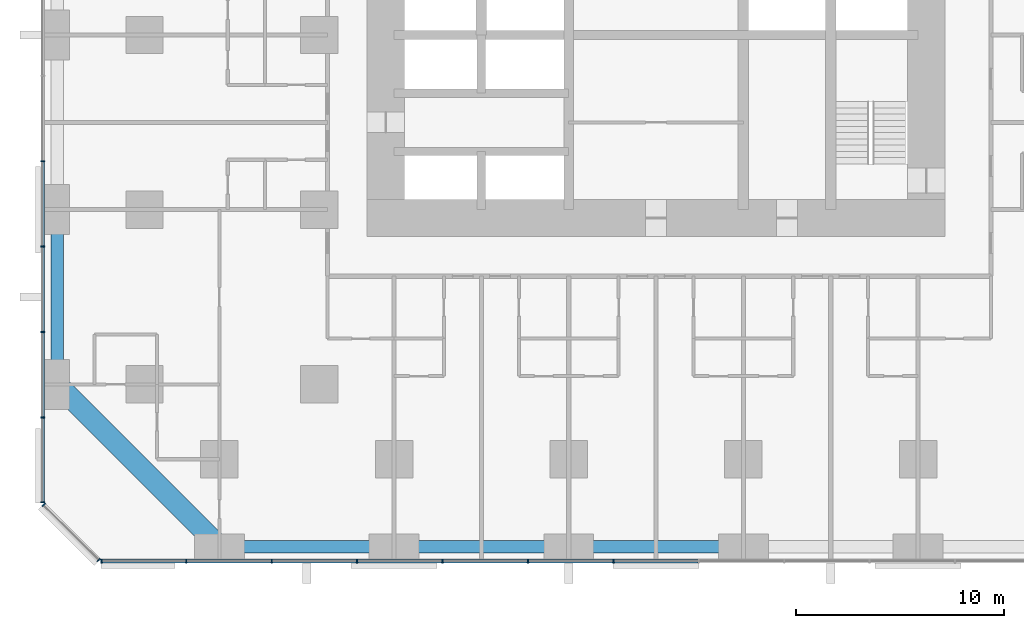
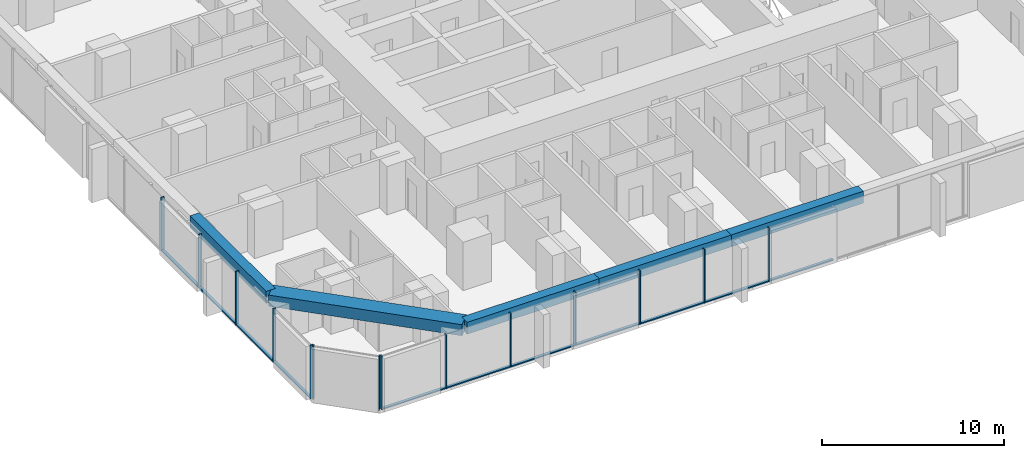
# One storey, part 2 of 18: 25 members, 5 beams, 3 elements without a shape of their own.
"""IFC4 building model written with IfcOpenShell, lengths in metres."""

from ifc_helpers import new_model, si_unit, direction, frame, origin, origin_2d, place, context, subcontext, project, spatial, rectangle, extrude, material, material_profile, profile_set, type_object, element, aggregate, save


model = new_model("IFC4")

# Units and contexts
model_context = context("Model", 3, precision=1e-05, world=origin(), true_north=direction((0.0, 1.0)))
body_context = subcontext(model_context, "Body", "Model", "MODEL_VIEW")
ifc_project = project(units=[si_unit("LENGTHUNIT", "METRE"), si_unit("AREAUNIT", "SQUARE_METRE"), si_unit("VOLUMEUNIT", "CUBIC_METRE"), si_unit("PLANEANGLEUNIT", "RADIAN"), si_unit("MASSUNIT", "GRAM", prefix="KILO")], contexts=[model_context])

# Site, building, storey
site_placement = place(None, origin())
site = spatial("IfcSite", under=ifc_project, at=site_placement, CompositionType="ELEMENT")
building_placement = place(site_placement, origin())
building = spatial("IfcBuilding", under=site, at=building_placement, Name="Dunama Terrace Hotel", CompositionType="ELEMENT")
storey_placement = place(building_placement, frame((0.0, 0.0, 30.60009765625)))
storey = spatial("IfcBuildingStorey", under=building, at=storey_placement, Name="L06", CompositionType="ELEMENT", Elevation=30.60009765625)

# Curtain wall, members
ifc_material_1 = material(Name="Aluminium curtain wall system", Category="aluminium")
curtain_wall_type = type_object("IfcCurtainWallType", Name="Unitised fritted glass wall CW-A", PredefinedType="NOTDEFINED", material=ifc_material_1)
curtain_wall_1_placement = place(storey_placement, origin())
curtain_wall_1 = element("IfcCurtainWall", 1, at=curtain_wall_1_placement, inside=storey, type_object=curtain_wall_type, Name="Unitised fritted glass wall CW-A L06", PredefinedType="NOTDEFINED")
ifc_material_2 = material(Name="Aluminium mullion", Category="aluminium")
ifc_material_profile_1 = material_profile(ifc_material_2, rectangle(XDim=0.06494140625, YDim=0.199951171875, at=origin_2d()), Name="CWA MULLION 65X200")
ifc_profile_set_1 = profile_set([ifc_material_profile_1], Name="Aluminium mullion")
member_type_1 = type_object("IfcMemberType", Name="CWA mullion 65x200", PredefinedType="MULLION", material=ifc_profile_set_1)
member_1_placement = place(storey_placement, frame((2.73291015625, -0.10009765625, 0.0), z_axis=(0.0, 0.0, 1.0), x_axis=(1.0, 0.0, 0.0)))
member_1 = element("IfcMember", 2, at=member_1_placement, type_object=member_type_1, Name="CWA mullion", PredefinedType="MULLION", context=body_context, shape_type="SweptSolid", body=[
    extrude(rectangle(XDim=0.06494140625, YDim=0.199951171875, at=origin_2d()), origin(), (0.0, 0.0, 1.0), 3.599853515625),
])
member_2_placement = place(storey_placement, frame((6.80810546875, -0.10009765625, 0.0), z_axis=(0.0, 0.0, 1.0), x_axis=(1.0, 0.0, 0.0)))
member_2 = element("IfcMember", 3, at=member_2_placement, type_object=member_type_1, Name="CWA mullion", PredefinedType="MULLION", context=body_context, shape_type="SweptSolid", body=[
    extrude(rectangle(XDim=0.06494140625, YDim=0.199951171875, at=origin_2d()), origin(), (0.0, 0.0, 1.0), 3.599853515625),
])
member_3_placement = place(storey_placement, frame((10.9150390625, -0.10009765625, 0.0), z_axis=(0.0, 0.0, 1.0), x_axis=(1.0, 0.0, 0.0)))
member_3 = element("IfcMember", 4, at=member_3_placement, type_object=member_type_1, Name="CWA mullion", PredefinedType="MULLION", context=body_context, shape_type="SweptSolid", body=[
    extrude(rectangle(XDim=0.06494140625, YDim=0.199951171875, at=origin_2d()), origin(), (0.0, 0.0, 1.0), 3.599853515625),
])
member_4_placement = place(storey_placement, frame((15.02294921875, -0.10009765625, 0.0), z_axis=(0.0, 0.0, 1.0), x_axis=(1.0, 0.0, 0.0)))
member_4 = element("IfcMember", 5, at=member_4_placement, type_object=member_type_1, Name="CWA mullion", PredefinedType="MULLION", context=body_context, shape_type="SweptSolid", body=[
    extrude(rectangle(XDim=0.06494140625, YDim=0.199951171875, at=origin_2d()), origin(), (0.0, 0.0, 1.0), 3.599853515625),
])
member_5_placement = place(storey_placement, frame((19.131103515625, -0.10009765625, 0.0), z_axis=(0.0, 0.0, 1.0), x_axis=(1.0, 0.0, 0.0)))
member_5 = element("IfcMember", 6, at=member_5_placement, type_object=member_type_1, Name="CWA mullion", PredefinedType="MULLION", context=body_context, shape_type="SweptSolid", body=[
    extrude(rectangle(XDim=0.06494140625, YDim=0.199951171875, at=origin_2d()), origin(), (0.0, 0.0, 1.0), 3.599853515625),
])
member_6_placement = place(storey_placement, frame((23.238037109375, -0.10009765625, 0.0), z_axis=(0.0, 0.0, 1.0), x_axis=(1.0, 0.0, 0.0)))
member_6 = element("IfcMember", 7, at=member_6_placement, type_object=member_type_1, Name="CWA mullion", PredefinedType="MULLION", context=body_context, shape_type="SweptSolid", body=[
    extrude(rectangle(XDim=0.06494140625, YDim=0.199951171875, at=origin_2d()), origin(), (0.0, 0.0, 1.0), 3.599853515625),
])
member_7_placement = place(storey_placement, frame((27.345947265625, -0.10009765625, 0.0), z_axis=(0.0, 0.0, 1.0), x_axis=(1.0, 0.0, 0.0)))
member_7 = element("IfcMember", 8, at=member_7_placement, type_object=member_type_1, Name="CWA mullion", PredefinedType="MULLION", context=body_context, shape_type="SweptSolid", body=[
    extrude(rectangle(XDim=0.06494140625, YDim=0.199951171875, at=origin_2d()), origin(), (0.0, 0.0, 1.0), 3.599853515625),
])

curtain_wall_2_placement = place(storey_placement, origin())
curtain_wall_2 = element("IfcCurtainWall", 9, at=curtain_wall_2_placement, inside=storey, type_object=curtain_wall_type, Name="Unitised fritted glass wall CW-A L06", PredefinedType="NOTDEFINED")
member_8_placement = place(storey_placement, frame((-0.10009765625, 19.131103515625, 0.0), z_axis=(0.0, 0.0, 1.0), x_axis=(0.0, -1.0, 0.0)))
member_8 = element("IfcMember", 10, at=member_8_placement, type_object=member_type_1, Name="CWA mullion", PredefinedType="MULLION", context=body_context, shape_type="SweptSolid", body=[
    extrude(rectangle(XDim=0.06494140625, YDim=0.199951171875, at=origin_2d()), origin(), (0.0, 0.0, 1.0), 3.599853515625),
])
member_9_placement = place(storey_placement, frame((-0.10009765625, 15.02294921875, 0.0), z_axis=(0.0, 0.0, 1.0), x_axis=(0.0, -1.0, 0.0)))
member_9 = element("IfcMember", 11, at=member_9_placement, type_object=member_type_1, Name="CWA mullion", PredefinedType="MULLION", context=body_context, shape_type="SweptSolid", body=[
    extrude(rectangle(XDim=0.06494140625, YDim=0.199951171875, at=origin_2d()), origin(), (0.0, 0.0, 1.0), 3.599853515625),
])
member_10_placement = place(storey_placement, frame((-0.10009765625, 10.9150390625, 0.0), z_axis=(0.0, 0.0, 1.0), x_axis=(0.0, -1.0, 0.0)))
member_10 = element("IfcMember", 12, at=member_10_placement, type_object=member_type_1, Name="CWA mullion", PredefinedType="MULLION", context=body_context, shape_type="SweptSolid", body=[
    extrude(rectangle(XDim=0.06494140625, YDim=0.199951171875, at=origin_2d()), origin(), (0.0, 0.0, 1.0), 3.599853515625),
])
member_11_placement = place(storey_placement, frame((-0.10009765625, 6.80810546875, 0.0), z_axis=(0.0, 0.0, 1.0), x_axis=(0.0, -1.0, 0.0)))
member_11 = element("IfcMember", 13, at=member_11_placement, type_object=member_type_1, Name="CWA mullion", PredefinedType="MULLION", context=body_context, shape_type="SweptSolid", body=[
    extrude(rectangle(XDim=0.06494140625, YDim=0.199951171875, at=origin_2d()), origin(), (0.0, 0.0, 1.0), 3.599853515625),
])
member_12_placement = place(storey_placement, frame((-0.10009765625, 2.73291015625, 0.0), z_axis=(0.0, 0.0, 1.0), x_axis=(0.0, -1.0, 0.0)))
member_12 = element("IfcMember", 14, at=member_12_placement, type_object=member_type_1, Name="CWA mullion", PredefinedType="MULLION", context=body_context, shape_type="SweptSolid", body=[
    extrude(rectangle(XDim=0.06494140625, YDim=0.199951171875, at=origin_2d()), origin(), (0.0, 0.0, 1.0), 3.599853515625),
])

curtain_wall_3_placement = place(storey_placement, origin())
curtain_wall_3 = element("IfcCurtainWall", 15, at=curtain_wall_3_placement, inside=storey, type_object=curtain_wall_type, Name="Unitised fritted glass wall CW-A L06", PredefinedType="NOTDEFINED")
member_13_placement = place(storey_placement, frame((-0.048095703125, 2.60595703125, 0.0), z_axis=(0.0, 0.0, 1.0), x_axis=(0.707106781187, -0.707106781187, 0.0)))
member_13 = element("IfcMember", 16, at=member_13_placement, type_object=member_type_1, Name="CWA mullion", PredefinedType="MULLION", context=body_context, shape_type="SweptSolid", body=[
    extrude(rectangle(XDim=0.06494140625, YDim=0.199951171875, at=origin_2d()), origin(), (0.0, 0.0, 1.0), 3.599853515625),
])
member_14_placement = place(storey_placement, frame((2.60595703125, -0.048095703125, 0.0), z_axis=(0.0, 0.0, 1.0), x_axis=(0.707106781187, -0.707106781187, 0.0)))
member_14 = element("IfcMember", 17, at=member_14_placement, type_object=member_type_1, Name="CWA mullion", PredefinedType="MULLION", context=body_context, shape_type="SweptSolid", body=[
    extrude(rectangle(XDim=0.06494140625, YDim=0.199951171875, at=origin_2d()), origin(), (0.0, 0.0, 1.0), 3.599853515625),
])
aggregate(curtain_wall_3, [member_13, member_14])

# Member
ifc_material_3 = material(Name="Aluminium transom", Category="aluminium")
ifc_material_profile_2 = material_profile(ifc_material_3, rectangle(XDim=0.179931640625, YDim=0.074951171875, at=origin_2d()), Name="CWA TRANSOM 180X75")
ifc_profile_set_2 = profile_set([ifc_material_profile_2], Name="Aluminium transom")
member_type_2 = type_object("IfcMemberType", Name="CWA transom 180x75", PredefinedType="USERDEFINED", material=ifc_profile_set_2)
member_15_placement = place(storey_placement, frame((2.764892578125, -0.10009765625, 0.037353515625), z_axis=(1.0, 0.0, 0.0), x_axis=(0.0, 1.0, 0.0)))
member_15 = element("IfcMember", 18, at=member_15_placement, type_object=member_type_2, Name="CWA transom", ObjectType="TRANSOM", PredefinedType="USERDEFINED", context=body_context, shape_type="SweptSolid", body=[
    extrude(rectangle(XDim=0.179931640625, YDim=0.074951171875, at=origin_2d()), origin(), (0.0, 0.0, 1.0), 4.010009765625),
])

member_16_placement = place(storey_placement, frame((6.840087890625, -0.10009765625, 0.037353515625), z_axis=(1.0, 0.0, 0.0), x_axis=(0.0, 1.0, 0.0)))
member_16 = element("IfcMember", 19, at=member_16_placement, type_object=member_type_2, Name="CWA transom", ObjectType="TRANSOM", PredefinedType="USERDEFINED", context=body_context, shape_type="SweptSolid", body=[
    extrude(rectangle(XDim=0.179931640625, YDim=0.074951171875, at=origin_2d()), origin(), (0.0, 0.0, 1.0), 4.04296875),
])

member_17_placement = place(storey_placement, frame((10.947998046875, -0.10009765625, 0.037353515625), z_axis=(1.0, 0.0, 0.0), x_axis=(0.0, 1.0, 0.0)))
member_17 = element("IfcMember", 20, at=member_17_placement, type_object=member_type_2, Name="CWA transom", ObjectType="TRANSOM", PredefinedType="USERDEFINED", context=body_context, shape_type="SweptSolid", body=[
    extrude(rectangle(XDim=0.179931640625, YDim=0.074951171875, at=origin_2d()), origin(), (0.0, 0.0, 1.0), 4.04296875),
])

member_18_placement = place(storey_placement, frame((15.055908203125, -0.10009765625, 0.037353515625), z_axis=(1.0, 0.0, 0.0), x_axis=(0.0, 1.0, 0.0)))
member_18 = element("IfcMember", 21, at=member_18_placement, type_object=member_type_2, Name="CWA transom", ObjectType="TRANSOM", PredefinedType="USERDEFINED", context=body_context, shape_type="SweptSolid", body=[
    extrude(rectangle(XDim=0.179931640625, YDim=0.074951171875, at=origin_2d()), origin(), (0.0, 0.0, 1.0), 4.0419921875),
])

member_19_placement = place(storey_placement, frame((19.1630859375, -0.10009765625, 0.037353515625), z_axis=(1.0, 0.0, 0.0), x_axis=(0.0, 1.0, 0.0)))
member_19 = element("IfcMember", 22, at=member_19_placement, type_object=member_type_2, Name="CWA transom", ObjectType="TRANSOM", PredefinedType="USERDEFINED", context=body_context, shape_type="SweptSolid", body=[
    extrude(rectangle(XDim=0.179931640625, YDim=0.074951171875, at=origin_2d()), origin(), (0.0, 0.0, 1.0), 4.04296875),
])

member_20_placement = place(storey_placement, frame((23.27099609375, -0.10009765625, 0.037353515625), z_axis=(1.0, 0.0, 0.0), x_axis=(0.0, 1.0, 0.0)))
member_20 = element("IfcMember", 23, at=member_20_placement, type_object=member_type_2, Name="CWA transom", ObjectType="TRANSOM", PredefinedType="USERDEFINED", context=body_context, shape_type="SweptSolid", body=[
    extrude(rectangle(XDim=0.179931640625, YDim=0.074951171875, at=origin_2d()), origin(), (0.0, 0.0, 1.0), 4.04296875),
])

member_21_placement = place(storey_placement, frame((27.37890625, -0.10009765625, 0.037353515625), z_axis=(1.0, 0.0, 0.0), x_axis=(0.0, 1.0, 0.0)))
member_21 = element("IfcMember", 24, at=member_21_placement, type_object=member_type_2, Name="CWA transom", ObjectType="TRANSOM", PredefinedType="USERDEFINED", context=body_context, shape_type="SweptSolid", body=[
    extrude(rectangle(XDim=0.179931640625, YDim=0.074951171875, at=origin_2d()), origin(), (0.0, 0.0, 1.0), 4.0419921875),
])

aggregate(curtain_wall_1, [member_1, member_2, member_3, member_4, member_5, member_6, member_7, member_15, member_16, member_17, member_18, member_19, member_20, member_21])

member_22_placement = place(storey_placement, frame((-0.10009765625, 19.097900390625, 0.037353515625), z_axis=(0.0, -1.0, 0.0), x_axis=(1.0, 0.0, 0.0)))
member_22 = element("IfcMember", 25, at=member_22_placement, type_object=member_type_2, Name="CWA transom", ObjectType="TRANSOM", PredefinedType="USERDEFINED", context=body_context, shape_type="SweptSolid", body=[
    extrude(rectangle(XDim=0.179931640625, YDim=0.074951171875, at=origin_2d()), origin(), (0.0, 0.0, 1.0), 4.0419921875),
])

member_23_placement = place(storey_placement, frame((-0.10009765625, 14.990966796875, 0.037353515625), z_axis=(0.0, -1.0, 0.0), x_axis=(1.0, 0.0, 0.0)))
member_23 = element("IfcMember", 26, at=member_23_placement, type_object=member_type_2, Name="CWA transom", ObjectType="TRANSOM", PredefinedType="USERDEFINED", context=body_context, shape_type="SweptSolid", body=[
    extrude(rectangle(XDim=0.179931640625, YDim=0.074951171875, at=origin_2d()), origin(), (0.0, 0.0, 1.0), 4.04296875),
])

member_24_placement = place(storey_placement, frame((-0.10009765625, 10.883056640625, 0.037353515625), z_axis=(0.0, -1.0, 0.0), x_axis=(1.0, 0.0, 0.0)))
member_24 = element("IfcMember", 27, at=member_24_placement, type_object=member_type_2, Name="CWA transom", ObjectType="TRANSOM", PredefinedType="USERDEFINED", context=body_context, shape_type="SweptSolid", body=[
    extrude(rectangle(XDim=0.179931640625, YDim=0.074951171875, at=origin_2d()), origin(), (0.0, 0.0, 1.0), 4.04296875),
])

member_25_placement = place(storey_placement, frame((-0.10009765625, 6.77490234375, 0.037353515625), z_axis=(0.0, -1.0, 0.0), x_axis=(1.0, 0.0, 0.0)))
member_25 = element("IfcMember", 28, at=member_25_placement, type_object=member_type_2, Name="CWA transom", ObjectType="TRANSOM", PredefinedType="USERDEFINED", context=body_context, shape_type="SweptSolid", body=[
    extrude(rectangle(XDim=0.179931640625, YDim=0.074951171875, at=origin_2d()), origin(), (0.0, 0.0, 1.0), 4.010009765625),
])

aggregate(curtain_wall_2, [member_8, member_9, member_10, member_11, member_12, member_22, member_23, member_24, member_25])

# Beams
ifc_material_4 = material(Name="Concrete C50/60", Category="concrete")
ifc_material_profile_3 = material_profile(ifc_material_4, rectangle(XDim=1.0, YDim=0.75, at=origin_2d()), Name="RC 1000x750")
ifc_profile_set_3 = profile_set([ifc_material_profile_3], Name="Concrete C50/60")
beam_type_1 = type_object("IfcBeamType", Name="Edge beam RC 1000x750", PredefinedType="SPANDREL", material=ifc_profile_set_3)
beam_1_placement = place(storey_placement, frame((8.39990234375, 0.60009765625, 3.224853515625), z_axis=(-0.707106781187, 0.707106781187, 0.0), x_axis=(-0.707106781187, -0.707106781187, 0.0)))
element("IfcBeam", 29, at=beam_1_placement, inside=storey, type_object=beam_type_1, Name="Corner edge beam under L07", PredefinedType="SPANDREL", context=body_context, shape_type="SweptSolid", body=[
    extrude(rectangle(XDim=1.0, YDim=0.75, at=origin_2d()), origin(), (0.0, 0.0, 1.0), 11.030517578125),
])
ifc_material_5 = material(Name="Concrete C40/50", Category="concrete")
ifc_material_profile_4 = material_profile(ifc_material_5, rectangle(XDim=0.60009765625, YDim=0.800048828125, at=origin_2d()), Name="RC 600x800")
ifc_profile_set_4 = profile_set([ifc_material_profile_4], Name="Concrete C40/50")
beam_type_2 = type_object("IfcBeamType", Name="Edge beam RC 600x800", PredefinedType="SPANDREL", material=ifc_profile_set_4)
for number, where, z_axis, x_axis, name in (
    (30, (0.60009765625, 8.39990234375, 3.199951171875), (0.0, 1.0, 0.0), (-1.0, 0.0, 0.0), "Edge beam under L07"),
    (31, (8.39990234375, 0.60009765625, 3.199951171875), (1.0, 0.0, 0.0), (0.0, 1.0, 0.0), "Edge beam under L07"),
):
    element("IfcBeam", number, at=place(storey_placement, frame(where, z_axis=z_axis, x_axis=x_axis)), inside=storey, type_object=beam_type_2, Name=name, PredefinedType="SPANDREL", context=body_context, shape_type="SweptSolid", body=[
        extrude(rectangle(XDim=0.60009765625, YDim=0.800048828125, at=origin_2d()), origin(), (0.0, 0.0, 1.0), 8.400146484375),
    ])
beam_2_placement = place(storey_placement, frame((16.800048828125, 0.60009765625, 3.199951171875), z_axis=(1.0, 0.0, 0.0), x_axis=(0.0, 1.0, 0.0)))
element("IfcBeam", 32, at=beam_2_placement, inside=storey, type_object=beam_type_2, Name="Edge beam under L07", PredefinedType="SPANDREL", context=body_context, shape_type="SweptSolid", body=[
    extrude(rectangle(XDim=0.60009765625, YDim=0.800048828125, at=origin_2d()), origin(), (0.0, 0.0, 1.0), 8.39990234375),
])
beam_3_placement = place(storey_placement, frame((25.199951171875, 0.60009765625, 3.199951171875), z_axis=(1.0, 0.0, 0.0), x_axis=(0.0, 1.0, 0.0)))
element("IfcBeam", 33, at=beam_3_placement, inside=storey, type_object=beam_type_2, Name="Edge beam under L07", PredefinedType="SPANDREL", context=body_context, shape_type="SweptSolid", body=[
    extrude(rectangle(XDim=0.60009765625, YDim=0.800048828125, at=origin_2d()), origin(), (0.0, 0.0, 1.0), 8.400146484375),
])

save(model, "model.ifc")
